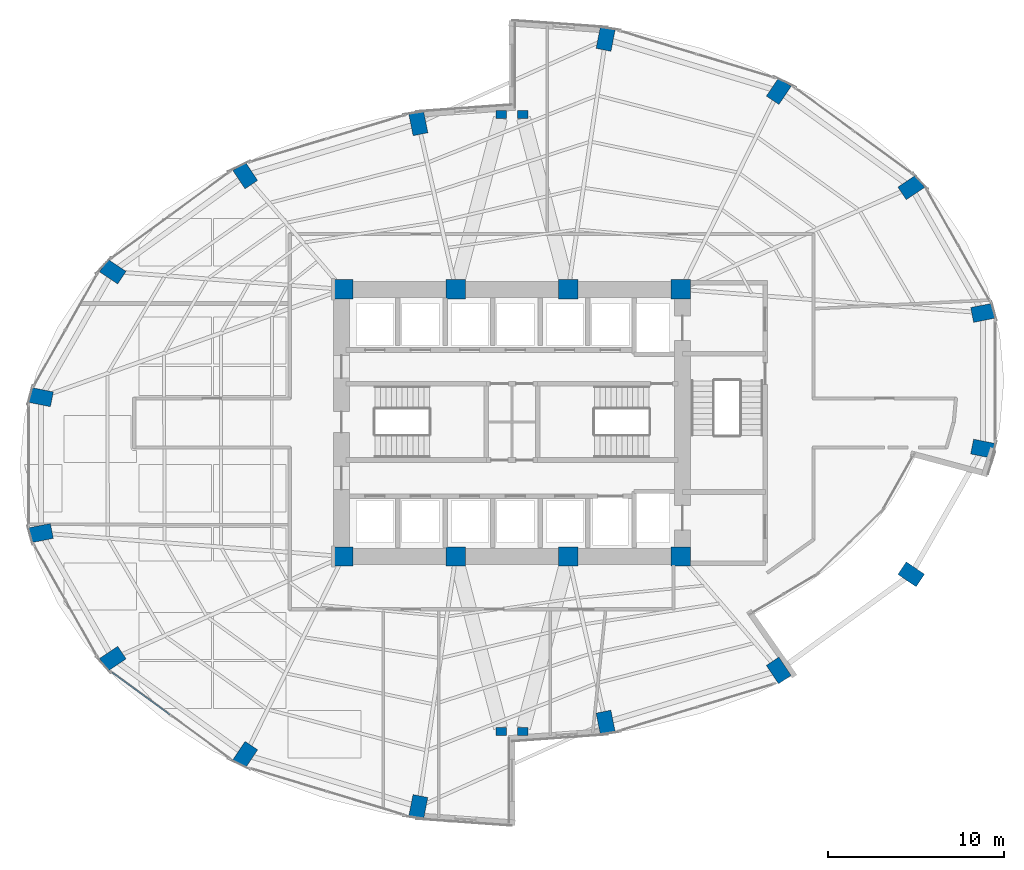
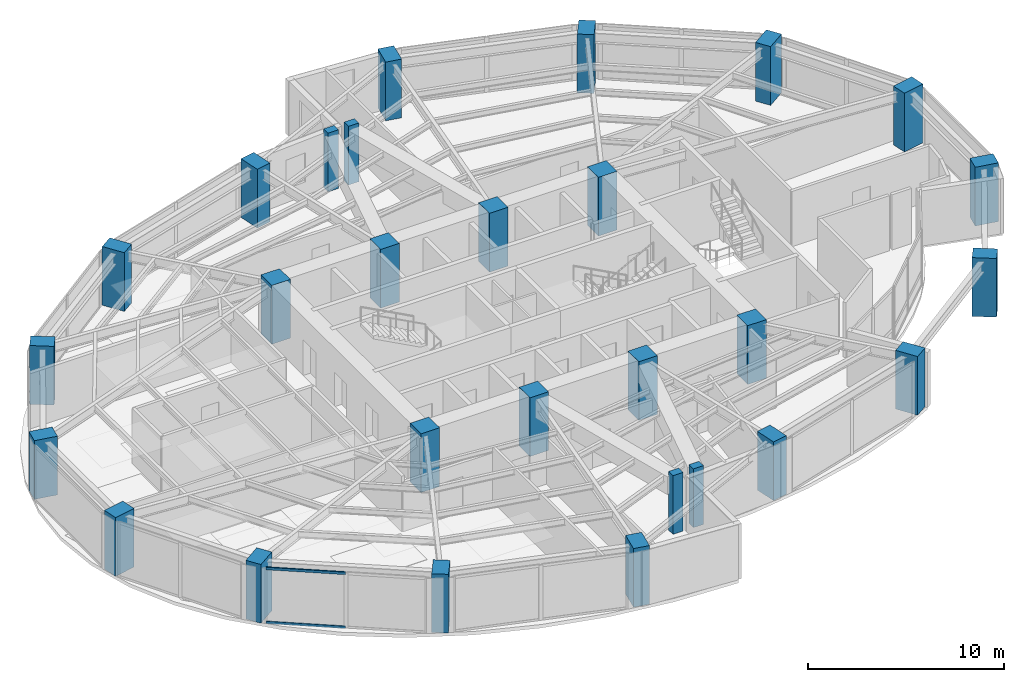
# One storey, part 1 of 24: 28 columns, 2 members, 1 element without a shape of its own.
"""IFC4 building model written with IfcOpenShell, lengths in metres."""

from ifc_helpers import new_model, si_unit, direction, frame, origin, origin_2d, place, context, subcontext, project, spatial, rectangle, hollow_rectangle, extrude, material, layer, layer_set, material_profile, profile_set, type_object, element, aggregate, save


model = new_model("IFC4")

# Units and contexts
model_context = context("Model", 3, precision=1e-05, world=origin(), true_north=direction((0.0, 1.0)))
body_context = subcontext(model_context, "Body", "Model", "MODEL_VIEW")
ifc_project = project(units=[si_unit("LENGTHUNIT", "METRE"), si_unit("AREAUNIT", "SQUARE_METRE"), si_unit("VOLUMEUNIT", "CUBIC_METRE"), si_unit("PLANEANGLEUNIT", "RADIAN"), si_unit("MASSUNIT", "GRAM", prefix="KILO")], contexts=[model_context])

# Site, building, storey
site_placement = place(None, origin())
site = spatial("IfcSite", under=ifc_project, at=site_placement, CompositionType="ELEMENT")
building_placement = place(site_placement, origin())
building = spatial("IfcBuilding", under=site, at=building_placement, Name="Lazwardi Medical Tower", CompositionType="ELEMENT")
storey_placement = place(building_placement, frame((0.0, 0.0, 61.679931640625)))
storey = spatial("IfcBuildingStorey", under=building, at=storey_placement, Name="L15", CompositionType="ELEMENT", Elevation=61.679931640625)

# Columns
ifc_material_1 = material(Name="Concrete C80/95", Category="concrete")
ifc_material_profile_1 = material_profile(ifc_material_1, rectangle(XDim=1.10009765625, YDim=1.10009765625, at=origin_2d()), Name="RC 1100x1100")
ifc_profile_set_1 = profile_set([ifc_material_profile_1], Name="Concrete C80/95")
column_type_1 = type_object("IfcColumnType", Name="COL-CC-L", PredefinedType="COLUMN", material=ifc_profile_set_1)
for number, where, z_axis, x_axis, name in (
    (1, (26.39990234375, 20.39990234375, 0.0), (0.0, 0.0, 1.0), (1.0, 0.0, 0.0), "Core column CC-01 CC1 L15"),
    (2, (32.800048828125, 20.39990234375, 0.0), (0.0, 0.0, 1.0), (1.0, 0.0, 0.0), "Core column CC-01 CC2 L15"),
    (3, (39.199951171875, 20.39990234375, 0.0), (0.0, 0.0, 1.0), (1.0, 0.0, 0.0), "Core column CC-01 CC3 L15"),
    (4, (45.60009765625, 20.39990234375, 0.0), (0.0, 0.0, 1.0), (1.0, 0.0, 0.0), "Core column CC-01 CC4 L15"),
    (5, (45.60009765625, 35.60009765625, 0.0), (0.0, 0.0, 1.0), (1.0, 0.0, 0.0), "Core column CC-01 CC5 L15"),
    (6, (39.199951171875, 35.60009765625, 0.0), (0.0, 0.0, 1.0), (1.0, 0.0, 0.0), "Core column CC-01 CC6 L15"),
    (7, (32.800048828125, 35.60009765625, 0.0), (0.0, 0.0, 1.0), (1.0, 0.0, 0.0), "Core column CC-01 CC7 L15"),
    (8, (26.39990234375, 35.60009765625, 0.0), (0.0, 0.0, 1.0), (1.0, 0.0, 0.0), "Core column CC-01 CC8 L15"),
):
    element("IfcColumn", number, at=place(storey_placement, frame(where, z_axis=z_axis, x_axis=x_axis)), inside=storey, type_object=column_type_1, Name=name, PredefinedType="COLUMN", context=body_context, shape_type="SweptSolid", body=[
        extrude(rectangle(XDim=1.10009765625, YDim=1.10009765625, at=origin_2d()), origin(), (0.0, 0.0, 1.0), 3.64794921875),
    ])
ifc_material_2 = material(Name="Concrete C70/85", Category="concrete")
ifc_material_profile_2 = material_profile(ifc_material_2, rectangle(XDim=1.25, YDim=0.860107421875, at=origin_2d()), Name="CFT-RECT 1250x860")
ifc_profile_set_2 = profile_set([ifc_material_profile_2], Name="Concrete C70/85")
column_type_2 = type_object("IfcColumnType", Name="COL-MC-Z1", PredefinedType="COLUMN", material=ifc_profile_set_2)
for number, where, z_axis, x_axis, name in (
    (9, (41.330810546875, 10.955810546875, 0.0), (0.0, 0.0, 1.0), (0.195090322016, -0.980785280403, 0.0), "Mega column MC-03 M01 L15"),
    (10, (51.180908203125, 13.916015625, 0.0), (0.0, 0.0, 1.0), (0.55557023302, -0.831469612303, 0.0), "Mega column MC-03 M02 L15"),
    (11, (58.719970703125, 19.3857421875, 0.0), (0.0, 0.0, 1.0), (0.831469612303, -0.55557023302, 0.0), "Mega column MC-03 M03 L15"),
    (12, (62.800048828125, 26.5322265625, 0.0), (0.0, 0.0, 1.0), (0.980785280403, -0.195090322016, 0.0), "Mega column MC-03 M04 L15"),
    (13, (62.800048828125, 34.267578125, 0.0), (0.0, 0.0, 1.0), (0.980785280403, 0.195090322016, 0.0), "Mega column MC-03 M05 L15"),
    (14, (58.719970703125, 41.414306640625, 0.0), (0.0, 0.0, 1.0), (0.831469612303, 0.55557023302, 0.0), "Mega column MC-03 M06 L15"),
    (15, (51.180908203125, 46.8837890625, 0.0), (0.0, 0.0, 1.0), (0.55557023302, 0.831469612303, 0.0), "Mega column MC-03 M07 L15"),
    (16, (41.330810546875, 49.843994140625, 0.0), (0.0, 0.0, 1.0), (0.195090322016, 0.980785280403, 0.0), "Mega column MC-03 M08 L15"),
    (17, (30.669189453125, 45.044189453125, 0.0), (0.0, 0.0, 1.0), (-0.195090322016, 0.980785280403, 0.0), "Mega column MC-03 M09 L15"),
    (18, (20.819091796875, 42.083984375, 0.0), (0.0, 0.0, 1.0), (-0.55557023302, 0.831469612303, 0.0), "Mega column MC-03 M10 L15"),
    (19, (13.280029296875, 36.6142578125, 0.0), (0.0, 0.0, 1.0), (-0.831469612303, 0.55557023302, 0.0), "Mega column MC-03 M11 L15"),
    (20, (9.199951171875, 29.4677734375, 0.0), (0.0, 0.0, 1.0), (-0.980785280403, 0.195090322016, 0.0), "Mega column MC-03 M12 L15"),
    (21, (9.199951171875, 21.732421875, 0.0), (0.0, 0.0, 1.0), (-0.980785280403, -0.195090322016, 0.0), "Mega column MC-03 M13 L15"),
    (22, (13.280029296875, 14.585693359375, 0.0), (0.0, 0.0, 1.0), (-0.831469612303, -0.55557023302, 0.0), "Mega column MC-03 M14 L15"),
    (23, (20.819091796875, 9.1162109375, 0.0), (0.0, 0.0, 1.0), (-0.55557023302, -0.831469612303, 0.0), "Mega column MC-03 M15 L15"),
    (24, (30.669189453125, 6.156005859375, 0.0), (0.0, 0.0, 1.0), (-0.195090322016, -0.980785280403, 0.0), "Mega column MC-03 M16 L15"),
):
    element("IfcColumn", number, at=place(storey_placement, frame(where, z_axis=z_axis, x_axis=x_axis)), inside=storey, type_object=column_type_2, Name=name, PredefinedType="COLUMN", context=body_context, shape_type="SweptSolid", body=[
        extrude(rectangle(XDim=1.25, YDim=0.860107421875, at=origin_2d()), origin(), (0.0, 0.0, 1.0), 3.64794921875),
    ])
ifc_material_3 = material(Name="Concrete C60/75", Category="concrete")
ifc_material_profile_3 = material_profile(ifc_material_3, rectangle(XDim=0.60009765625, YDim=0.449951171875, at=origin_2d()), Name="RC 600x450")
ifc_profile_set_3 = profile_set([ifc_material_profile_3], Name="Concrete C60/75")
column_type_3 = type_object("IfcColumnType", Name="COL-PL-IW", PredefinedType="PILASTER", material=ifc_profile_set_3)
for number, where, z_axis, x_axis, name in (
    (25, (35.39990234375, 45.550048828125, 0.0), (0.0, 0.0, 1.0), (1.0, 0.0, 0.0), "Iwan pilaster column PL-C1 PL1 L15"),
    (26, (36.60009765625, 45.550048828125, 0.0), (0.0, 0.0, 1.0), (1.0, 0.0, 0.0), "Iwan pilaster column PL-C1 PL2 L15"),
    (27, (35.39990234375, 10.449951171875, 0.0), (0.0, 0.0, 1.0), (1.0, 0.0, 0.0), "Iwan pilaster column PL-C1 PL3 L15"),
    (28, (36.60009765625, 10.449951171875, 0.0), (0.0, 0.0, 1.0), (1.0, 0.0, 0.0), "Iwan pilaster column PL-C1 PL4 L15"),
):
    element("IfcColumn", number, at=place(storey_placement, frame(where, z_axis=z_axis, x_axis=x_axis)), inside=storey, type_object=column_type_3, Name=name, PredefinedType="PILASTER", context=body_context, shape_type="SweptSolid", body=[
        extrude(rectangle(XDim=0.60009765625, YDim=0.449951171875, at=origin_2d()), origin(), (0.0, 0.0, 1.0), 3.64794921875),
    ])

# Curtain wall, members
ifc_material_4 = material(Name="Anodised bronze aluminium and solar control glazing", Category="aluminium")
ifc_layer = layer(ifc_material_4, 0.199951171875)
ifc_layer_set = layer_set([ifc_layer], Name="Anodised bronze aluminium and solar control glazing")
curtain_wall_type = type_object("IfcCurtainWallType", Name="CW-SYS-02", PredefinedType="NOTDEFINED", material=ifc_layer_set)
curtain_wall_placement = place(storey_placement, origin())
curtain_wall = element("IfcCurtainWall", 29, at=curtain_wall_placement, inside=storey, type_object=curtain_wall_type, Name="L15 Unitised bronze curtain wall CW-02", PredefinedType="NOTDEFINED")
ifc_material_5 = material(Name="Anodised bronze aluminium", Category="aluminium")
ifc_material_profile_4 = material_profile(ifc_material_5, hollow_rectangle(XDim=0.074951171875, YDim=0.159912109375, WallThickness=0.00390625, at=origin_2d()), Name="ALU-TRANSOM 160x75x4")
ifc_profile_set_4 = profile_set([ifc_material_profile_4], Name="Anodised bronze aluminium")
member_type = type_object("IfcMemberType", Name="CW-TRN-01", PredefinedType="USERDEFINED", material=ifc_profile_set_4)
member_1_placement = place(storey_placement, frame((13.239990234375, 13.805419921875, 0.03759765625), z_axis=(0.807189956199, -0.590291770748, 0.0), x_axis=(0.590291770748, 0.807189956199, 0.0)))
member_1 = element("IfcMember", 30, at=member_1_placement, type_object=member_type, Name="CW-02 transom 1.1", ObjectType="TRANSOM", PredefinedType="USERDEFINED", context=body_context, shape_type="SweptSolid", body=[
    extrude(hollow_rectangle(XDim=0.074951171875, YDim=0.159912109375, WallThickness=0.00390625, at=origin_2d()), origin(), (0.0, 0.0, 1.0), 4.070068359375),
])
member_2_placement = place(storey_placement, frame((13.239990234375, 13.805419921875, 3.390625), z_axis=(0.807189956199, -0.590291770748, 0.0), x_axis=(0.590291770748, 0.807189956199, 0.0)))
member_2 = element("IfcMember", 31, at=member_2_placement, type_object=member_type, Name="CW-02 transom 1.2", ObjectType="TRANSOM", PredefinedType="USERDEFINED", context=body_context, shape_type="SweptSolid", body=[
    extrude(hollow_rectangle(XDim=0.074951171875, YDim=0.159912109375, WallThickness=0.00390625, at=origin_2d()), origin(), (0.0, 0.0, 1.0), 4.070068359375),
])
aggregate(curtain_wall, [member_1, member_2])

save(model, "model.ifc")
